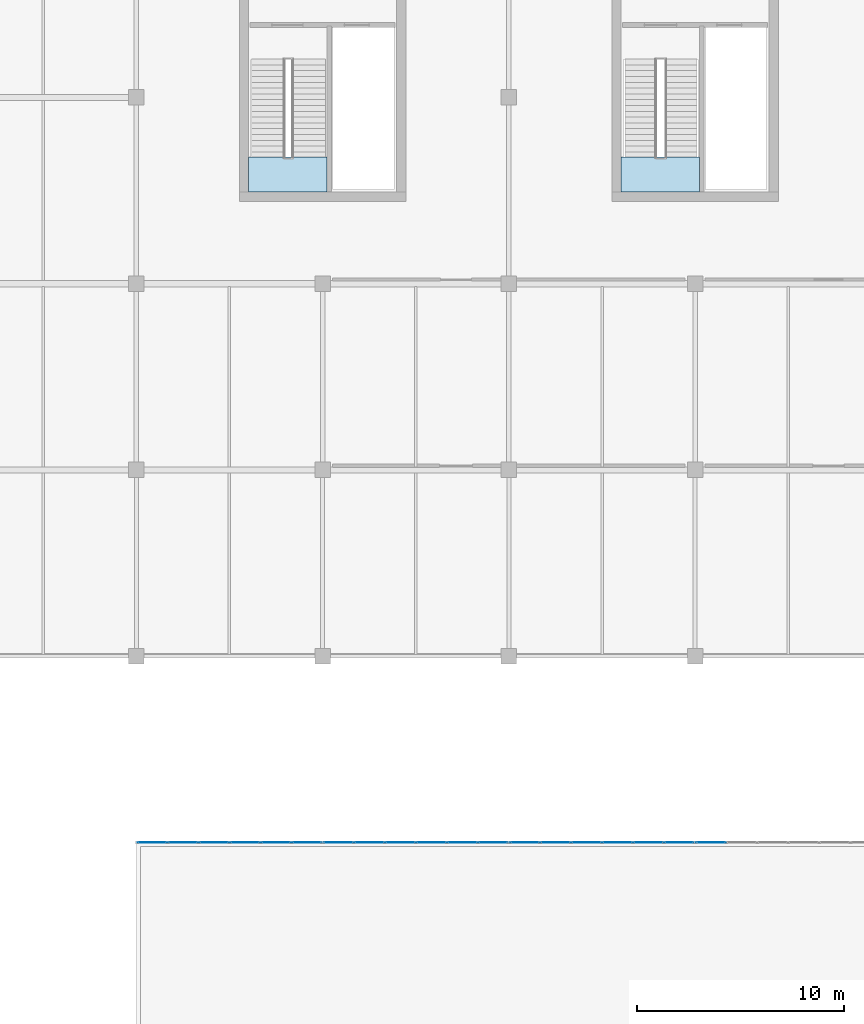
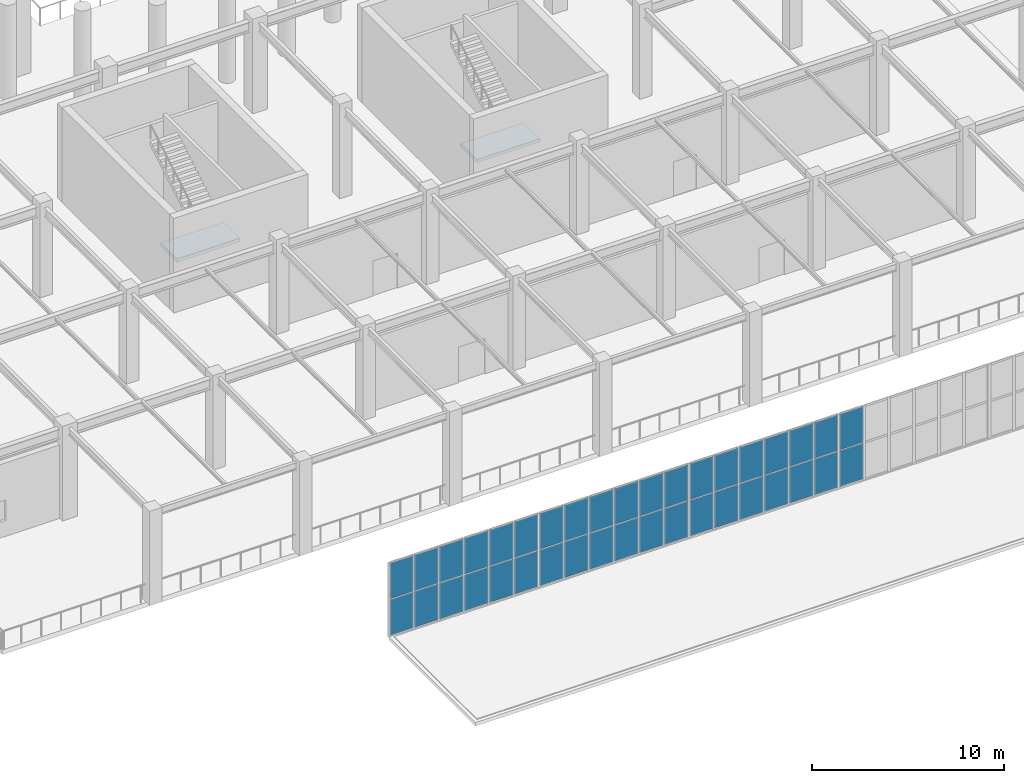
# One storey, part 170 of 223: 38 plates, 2 slabs, 6 elements without a shape of their own.
"""IFC4 building model written with IfcOpenShell, lengths in metres."""

from ifc_helpers import new_model, si_unit, direction, frame, origin, origin_2d, place, context, subcontext, project, spatial, polyline, rectangle, outline, extrude, material, layer, layer_set, type_object, element, aggregate, save


model = new_model("IFC4")

# Units and contexts
model_context = context("Model", 3, precision=1e-05, world=origin(), true_north=direction((0.0, 1.0)))
body_context = subcontext(model_context, "Body", "Model", "MODEL_VIEW")
ifc_project = project(units=[si_unit("LENGTHUNIT", "METRE"), si_unit("AREAUNIT", "SQUARE_METRE"), si_unit("VOLUMEUNIT", "CUBIC_METRE"), si_unit("PLANEANGLEUNIT", "RADIAN"), si_unit("MASSUNIT", "GRAM", prefix="KILO")], contexts=[model_context])

# Site, building, storey
site_placement = place(None, origin())
site = spatial("IfcSite", under=ifc_project, at=site_placement, CompositionType="ELEMENT")
building_placement = place(site_placement, origin())
building = spatial("IfcBuilding", under=site, at=building_placement, Name="Dornveld Trade and Exhibition Forum", CompositionType="ELEMENT")
storey_placement = place(building_placement, frame((0.0, 0.0, 6.0)))
storey = spatial("IfcBuildingStorey", under=building, at=storey_placement, Name="L01", CompositionType="ELEMENT", Elevation=6.0)

# Curtain wall, plates
ifc_material_1 = material(Name="Dark-bronze anodised aluminium and low-E glass", Category="aluminium")
ifc_layer_1 = layer(ifc_material_1, 0.1630859375)
ifc_layer_set_1 = layer_set([ifc_layer_1], Name="Dark-bronze anodised aluminium and low-E glass")
curtain_wall_type_1 = type_object("IfcCurtainWallType", Name="CW-SYS-07", PredefinedType="USERDEFINED", material=ifc_layer_set_1)
curtain_wall_1_placement = place(storey_placement, origin())
curtain_wall_1 = element("IfcCurtainWall", 1, at=curtain_wall_1_placement, inside=storey, type_object=curtain_wall_type_1, Name="L01 unitised curtain wall 43", ObjectType="UNITISED_CURTAIN_WALL", PredefinedType="USERDEFINED")
ifc_material_2 = material(Name="Double-glazed low-E solar control glass", Category="glass")
ifc_layer_2 = layer(ifc_material_2, 0.030029296875)
ifc_layer_set_2 = layer_set([ifc_layer_2], Name="Double-glazed low-E solar control glass")
plate_type_1 = type_object("IfcPlateType", Name="CW-PNL-03", PredefinedType="CURTAIN_PANEL", material=ifc_layer_set_2)
plate_1_placement = place(storey_placement, frame((99.764892578125, 18.0, 0.05615234375), z_axis=(0.0, 0.0, 1.0), x_axis=(1.0, 0.0, 0.0)))
plate_1 = element("IfcPlate", 2, at=plate_1_placement, type_object=plate_type_1, Name="CW-07 panel 1.1", PredefinedType="CURTAIN_PANEL", context=body_context, shape_type="SweptSolid", body=[
    extrude(rectangle(XDim=1.409912109375, YDim=0.030029296875, at=origin_2d()), origin(), (0.0, 0.0, 1.0), 2.261962890625),
])
plate_2_placement = place(storey_placement, frame((99.764892578125, 18.0, 2.3779296875), z_axis=(0.0, 0.0, 1.0), x_axis=(1.0, 0.0, 0.0)))
plate_2 = element("IfcPlate", 3, at=plate_2_placement, type_object=plate_type_1, Name="CW-07 panel 1.2", PredefinedType="CURTAIN_PANEL", context=body_context, shape_type="SweptSolid", body=[
    extrude(rectangle(XDim=1.409912109375, YDim=0.030029296875, at=origin_2d()), origin(), (0.0, 0.0, 1.0), 2.261962890625),
])
plate_3_placement = place(storey_placement, frame((101.25, 18.0, 0.05615234375), z_axis=(0.0, 0.0, 1.0), x_axis=(1.0, 0.0, 0.0)))
plate_3 = element("IfcPlate", 4, at=plate_3_placement, type_object=plate_type_1, Name="CW-07 panel 2.1", PredefinedType="CURTAIN_PANEL", context=body_context, shape_type="SweptSolid", body=[
    extrude(rectangle(XDim=1.43994140625, YDim=0.030029296875, at=origin_2d()), origin(), (0.0, 0.0, 1.0), 2.261962890625),
])
plate_4_placement = place(storey_placement, frame((101.25, 18.0, 2.3779296875), z_axis=(0.0, 0.0, 1.0), x_axis=(1.0, 0.0, 0.0)))
plate_4 = element("IfcPlate", 5, at=plate_4_placement, type_object=plate_type_1, Name="CW-07 panel 2.2", PredefinedType="CURTAIN_PANEL", context=body_context, shape_type="SweptSolid", body=[
    extrude(rectangle(XDim=1.43994140625, YDim=0.030029296875, at=origin_2d()), origin(), (0.0, 0.0, 1.0), 2.261962890625),
])
plate_5_placement = place(storey_placement, frame((102.75, 18.0, 0.05615234375), z_axis=(0.0, 0.0, 1.0), x_axis=(1.0, 0.0, 0.0)))
plate_5 = element("IfcPlate", 6, at=plate_5_placement, type_object=plate_type_1, Name="CW-07 panel 3.1", PredefinedType="CURTAIN_PANEL", context=body_context, shape_type="SweptSolid", body=[
    extrude(rectangle(XDim=1.43994140625, YDim=0.030029296875, at=origin_2d()), origin(), (0.0, 0.0, 1.0), 2.261962890625),
])
plate_6_placement = place(storey_placement, frame((102.75, 18.0, 2.3779296875), z_axis=(0.0, 0.0, 1.0), x_axis=(1.0, 0.0, 0.0)))
plate_6 = element("IfcPlate", 7, at=plate_6_placement, type_object=plate_type_1, Name="CW-07 panel 3.2", PredefinedType="CURTAIN_PANEL", context=body_context, shape_type="SweptSolid", body=[
    extrude(rectangle(XDim=1.43994140625, YDim=0.030029296875, at=origin_2d()), origin(), (0.0, 0.0, 1.0), 2.261962890625),
])
plate_7_placement = place(storey_placement, frame((104.25, 18.0, 0.05615234375), z_axis=(0.0, 0.0, 1.0), x_axis=(1.0, 0.0, 0.0)))
plate_7 = element("IfcPlate", 8, at=plate_7_placement, type_object=plate_type_1, Name="CW-07 panel 4.1", PredefinedType="CURTAIN_PANEL", context=body_context, shape_type="SweptSolid", body=[
    extrude(rectangle(XDim=1.43994140625, YDim=0.030029296875, at=origin_2d()), origin(), (0.0, 0.0, 1.0), 2.261962890625),
])
plate_8_placement = place(storey_placement, frame((104.25, 18.0, 2.3779296875), z_axis=(0.0, 0.0, 1.0), x_axis=(1.0, 0.0, 0.0)))
plate_8 = element("IfcPlate", 9, at=plate_8_placement, type_object=plate_type_1, Name="CW-07 panel 4.2", PredefinedType="CURTAIN_PANEL", context=body_context, shape_type="SweptSolid", body=[
    extrude(rectangle(XDim=1.43994140625, YDim=0.030029296875, at=origin_2d()), origin(), (0.0, 0.0, 1.0), 2.261962890625),
])
plate_9_placement = place(storey_placement, frame((105.75, 18.0, 0.05615234375), z_axis=(0.0, 0.0, 1.0), x_axis=(1.0, 0.0, 0.0)))
plate_9 = element("IfcPlate", 10, at=plate_9_placement, type_object=plate_type_1, Name="CW-07 panel 5.1", PredefinedType="CURTAIN_PANEL", context=body_context, shape_type="SweptSolid", body=[
    extrude(rectangle(XDim=1.43994140625, YDim=0.030029296875, at=origin_2d()), origin(), (0.0, 0.0, 1.0), 2.261962890625),
])
plate_10_placement = place(storey_placement, frame((105.75, 18.0, 2.3779296875), z_axis=(0.0, 0.0, 1.0), x_axis=(1.0, 0.0, 0.0)))
plate_10 = element("IfcPlate", 11, at=plate_10_placement, type_object=plate_type_1, Name="CW-07 panel 5.2", PredefinedType="CURTAIN_PANEL", context=body_context, shape_type="SweptSolid", body=[
    extrude(rectangle(XDim=1.43994140625, YDim=0.030029296875, at=origin_2d()), origin(), (0.0, 0.0, 1.0), 2.261962890625),
])
plate_11_placement = place(storey_placement, frame((107.235107421875, 18.0, 0.05615234375), z_axis=(0.0, 0.0, 1.0), x_axis=(1.0, 0.0, 0.0)))
plate_11 = element("IfcPlate", 12, at=plate_11_placement, type_object=plate_type_1, Name="CW-07 panel 6.1", PredefinedType="CURTAIN_PANEL", context=body_context, shape_type="SweptSolid", body=[
    extrude(rectangle(XDim=1.409912109375, YDim=0.030029296875, at=origin_2d()), origin(), (0.0, 0.0, 1.0), 2.261962890625),
])
plate_12_placement = place(storey_placement, frame((107.235107421875, 18.0, 2.3779296875), z_axis=(0.0, 0.0, 1.0), x_axis=(1.0, 0.0, 0.0)))
plate_12 = element("IfcPlate", 13, at=plate_12_placement, type_object=plate_type_1, Name="CW-07 panel 6.2", PredefinedType="CURTAIN_PANEL", context=body_context, shape_type="SweptSolid", body=[
    extrude(rectangle(XDim=1.409912109375, YDim=0.030029296875, at=origin_2d()), origin(), (0.0, 0.0, 1.0), 2.261962890625),
])
aggregate(curtain_wall_1, [plate_1, plate_2, plate_3, plate_4, plate_5, plate_6, plate_7, plate_8, plate_9, plate_10, plate_11, plate_12])

ifc_material_3 = material(Name="Dark-bronze anodised aluminium and low-E glass", Category="aluminium")
ifc_layer_3 = layer(ifc_material_3, 0.166015625)
ifc_layer_set_3 = layer_set([ifc_layer_3], Name="Dark-bronze anodised aluminium and low-E glass")
curtain_wall_type_2 = type_object("IfcCurtainWallType", Name="CW-SYS-08", PredefinedType="USERDEFINED", material=ifc_layer_set_3)
curtain_wall_2_placement = place(storey_placement, origin())
curtain_wall_2 = element("IfcCurtainWall", 14, at=curtain_wall_2_placement, inside=storey, type_object=curtain_wall_type_2, Name="L01 unitised curtain wall 44", ObjectType="UNITISED_CURTAIN_WALL", PredefinedType="USERDEFINED")
ifc_material_4 = material(Name="Double-glazed low-E solar control glass", Category="glass")
ifc_layer_4 = layer(ifc_material_4, 0.031982421875)
ifc_layer_set_4 = layer_set([ifc_layer_4], Name="Double-glazed low-E solar control glass")
plate_type_2 = type_object("IfcPlateType", Name="CW-PNL-04", PredefinedType="CURTAIN_PANEL", material=ifc_layer_set_4)
plate_13_placement = place(storey_placement, frame((108.764892578125, 18.0, 0.05615234375), z_axis=(0.0, 0.0, 1.0), x_axis=(1.0, 0.0, 0.0)))
plate_13 = element("IfcPlate", 15, at=plate_13_placement, type_object=plate_type_2, Name="CW-08 panel 1.1", PredefinedType="CURTAIN_PANEL", context=body_context, shape_type="SweptSolid", body=[
    extrude(rectangle(XDim=1.409912109375, YDim=0.031982421875, at=origin_2d()), origin(), (0.0, 0.0, 1.0), 2.261962890625),
])
plate_14_placement = place(storey_placement, frame((108.764892578125, 18.0, 2.3779296875), z_axis=(0.0, 0.0, 1.0), x_axis=(1.0, 0.0, 0.0)))
plate_14 = element("IfcPlate", 16, at=plate_14_placement, type_object=plate_type_2, Name="CW-08 panel 1.2", PredefinedType="CURTAIN_PANEL", context=body_context, shape_type="SweptSolid", body=[
    extrude(rectangle(XDim=1.409912109375, YDim=0.031982421875, at=origin_2d()), origin(), (0.0, 0.0, 1.0), 2.261962890625),
])
plate_15_placement = place(storey_placement, frame((110.25, 18.0, 0.05615234375), z_axis=(0.0, 0.0, 1.0), x_axis=(1.0, 0.0, 0.0)))
plate_15 = element("IfcPlate", 17, at=plate_15_placement, type_object=plate_type_2, Name="CW-08 panel 2.1", PredefinedType="CURTAIN_PANEL", context=body_context, shape_type="SweptSolid", body=[
    extrude(rectangle(XDim=1.43994140625, YDim=0.031982421875, at=origin_2d()), origin(), (0.0, 0.0, 1.0), 2.261962890625),
])
plate_16_placement = place(storey_placement, frame((110.25, 18.0, 2.3779296875), z_axis=(0.0, 0.0, 1.0), x_axis=(1.0, 0.0, 0.0)))
plate_16 = element("IfcPlate", 18, at=plate_16_placement, type_object=plate_type_2, Name="CW-08 panel 2.2", PredefinedType="CURTAIN_PANEL", context=body_context, shape_type="SweptSolid", body=[
    extrude(rectangle(XDim=1.43994140625, YDim=0.031982421875, at=origin_2d()), origin(), (0.0, 0.0, 1.0), 2.261962890625),
])
plate_17_placement = place(storey_placement, frame((111.75, 18.0, 0.05615234375), z_axis=(0.0, 0.0, 1.0), x_axis=(1.0, 0.0, 0.0)))
plate_17 = element("IfcPlate", 19, at=plate_17_placement, type_object=plate_type_2, Name="CW-08 panel 3.1", PredefinedType="CURTAIN_PANEL", context=body_context, shape_type="SweptSolid", body=[
    extrude(rectangle(XDim=1.43994140625, YDim=0.031982421875, at=origin_2d()), origin(), (0.0, 0.0, 1.0), 2.261962890625),
])
plate_18_placement = place(storey_placement, frame((111.75, 18.0, 2.3779296875), z_axis=(0.0, 0.0, 1.0), x_axis=(1.0, 0.0, 0.0)))
plate_18 = element("IfcPlate", 20, at=plate_18_placement, type_object=plate_type_2, Name="CW-08 panel 3.2", PredefinedType="CURTAIN_PANEL", context=body_context, shape_type="SweptSolid", body=[
    extrude(rectangle(XDim=1.43994140625, YDim=0.031982421875, at=origin_2d()), origin(), (0.0, 0.0, 1.0), 2.261962890625),
])
plate_19_placement = place(storey_placement, frame((113.25, 18.0, 0.05615234375), z_axis=(0.0, 0.0, 1.0), x_axis=(1.0, 0.0, 0.0)))
plate_19 = element("IfcPlate", 21, at=plate_19_placement, type_object=plate_type_2, Name="CW-08 panel 4.1", PredefinedType="CURTAIN_PANEL", context=body_context, shape_type="SweptSolid", body=[
    extrude(rectangle(XDim=1.43994140625, YDim=0.031982421875, at=origin_2d()), origin(), (0.0, 0.0, 1.0), 2.261962890625),
])
plate_20_placement = place(storey_placement, frame((113.25, 18.0, 2.3779296875), z_axis=(0.0, 0.0, 1.0), x_axis=(1.0, 0.0, 0.0)))
plate_20 = element("IfcPlate", 22, at=plate_20_placement, type_object=plate_type_2, Name="CW-08 panel 4.2", PredefinedType="CURTAIN_PANEL", context=body_context, shape_type="SweptSolid", body=[
    extrude(rectangle(XDim=1.43994140625, YDim=0.031982421875, at=origin_2d()), origin(), (0.0, 0.0, 1.0), 2.261962890625),
])
plate_21_placement = place(storey_placement, frame((114.75, 18.0, 0.05615234375), z_axis=(0.0, 0.0, 1.0), x_axis=(1.0, 0.0, 0.0)))
plate_21 = element("IfcPlate", 23, at=plate_21_placement, type_object=plate_type_2, Name="CW-08 panel 5.1", PredefinedType="CURTAIN_PANEL", context=body_context, shape_type="SweptSolid", body=[
    extrude(rectangle(XDim=1.43994140625, YDim=0.031982421875, at=origin_2d()), origin(), (0.0, 0.0, 1.0), 2.261962890625),
])
plate_22_placement = place(storey_placement, frame((114.75, 18.0, 2.3779296875), z_axis=(0.0, 0.0, 1.0), x_axis=(1.0, 0.0, 0.0)))
plate_22 = element("IfcPlate", 24, at=plate_22_placement, type_object=plate_type_2, Name="CW-08 panel 5.2", PredefinedType="CURTAIN_PANEL", context=body_context, shape_type="SweptSolid", body=[
    extrude(rectangle(XDim=1.43994140625, YDim=0.031982421875, at=origin_2d()), origin(), (0.0, 0.0, 1.0), 2.261962890625),
])
plate_23_placement = place(storey_placement, frame((116.235107421875, 18.0, 0.05615234375), z_axis=(0.0, 0.0, 1.0), x_axis=(1.0, 0.0, 0.0)))
plate_23 = element("IfcPlate", 25, at=plate_23_placement, type_object=plate_type_2, Name="CW-08 panel 6.1", PredefinedType="CURTAIN_PANEL", context=body_context, shape_type="SweptSolid", body=[
    extrude(rectangle(XDim=1.409912109375, YDim=0.031982421875, at=origin_2d()), origin(), (0.0, 0.0, 1.0), 2.261962890625),
])
plate_24_placement = place(storey_placement, frame((116.235107421875, 18.0, 2.3779296875), z_axis=(0.0, 0.0, 1.0), x_axis=(1.0, 0.0, 0.0)))
plate_24 = element("IfcPlate", 26, at=plate_24_placement, type_object=plate_type_2, Name="CW-08 panel 6.2", PredefinedType="CURTAIN_PANEL", context=body_context, shape_type="SweptSolid", body=[
    extrude(rectangle(XDim=1.409912109375, YDim=0.031982421875, at=origin_2d()), origin(), (0.0, 0.0, 1.0), 2.261962890625),
])
aggregate(curtain_wall_2, [plate_13, plate_14, plate_15, plate_16, plate_17, plate_18, plate_19, plate_20, plate_21, plate_22, plate_23, plate_24])

ifc_material_5 = material(Name="Dark-bronze anodised aluminium and low-E glass", Category="aluminium")
ifc_layer_5 = layer(ifc_material_5, 0.1689453125)
ifc_layer_set_5 = layer_set([ifc_layer_5], Name="Dark-bronze anodised aluminium and low-E glass")
curtain_wall_type_3 = type_object("IfcCurtainWallType", Name="CW-SYS-09", PredefinedType="USERDEFINED", material=ifc_layer_set_5)
curtain_wall_3_placement = place(storey_placement, origin())
curtain_wall_3 = element("IfcCurtainWall", 27, at=curtain_wall_3_placement, inside=storey, type_object=curtain_wall_type_3, Name="L01 unitised curtain wall 45", ObjectType="UNITISED_CURTAIN_WALL", PredefinedType="USERDEFINED")
ifc_material_6 = material(Name="Double-glazed low-E solar control glass", Category="glass")
ifc_layer_6 = layer(ifc_material_6, 0.033935546875)
ifc_layer_set_6 = layer_set([ifc_layer_6], Name="Double-glazed low-E solar control glass")
plate_type_3 = type_object("IfcPlateType", Name="CW-PNL-05", PredefinedType="CURTAIN_PANEL", material=ifc_layer_set_6)
plate_25_placement = place(storey_placement, frame((117.764892578125, 18.0, 0.05615234375), z_axis=(0.0, 0.0, 1.0), x_axis=(1.0, 0.0, 0.0)))
plate_25 = element("IfcPlate", 28, at=plate_25_placement, type_object=plate_type_3, Name="CW-09 panel 1.1", PredefinedType="CURTAIN_PANEL", context=body_context, shape_type="SweptSolid", body=[
    extrude(rectangle(XDim=1.409912109375, YDim=0.033935546875, at=origin_2d()), origin(), (0.0, 0.0, 1.0), 2.261962890625),
])
plate_26_placement = place(storey_placement, frame((117.764892578125, 18.0, 2.3779296875), z_axis=(0.0, 0.0, 1.0), x_axis=(1.0, 0.0, 0.0)))
plate_26 = element("IfcPlate", 29, at=plate_26_placement, type_object=plate_type_3, Name="CW-09 panel 1.2", PredefinedType="CURTAIN_PANEL", context=body_context, shape_type="SweptSolid", body=[
    extrude(rectangle(XDim=1.409912109375, YDim=0.033935546875, at=origin_2d()), origin(), (0.0, 0.0, 1.0), 2.261962890625),
])
plate_27_placement = place(storey_placement, frame((119.25, 18.0, 0.05615234375), z_axis=(0.0, 0.0, 1.0), x_axis=(1.0, 0.0, 0.0)))
plate_27 = element("IfcPlate", 30, at=plate_27_placement, type_object=plate_type_3, Name="CW-09 panel 2.1", PredefinedType="CURTAIN_PANEL", context=body_context, shape_type="SweptSolid", body=[
    extrude(rectangle(XDim=1.43994140625, YDim=0.033935546875, at=origin_2d()), origin(), (0.0, 0.0, 1.0), 2.261962890625),
])
plate_28_placement = place(storey_placement, frame((119.25, 18.0, 2.3779296875), z_axis=(0.0, 0.0, 1.0), x_axis=(1.0, 0.0, 0.0)))
plate_28 = element("IfcPlate", 31, at=plate_28_placement, type_object=plate_type_3, Name="CW-09 panel 2.2", PredefinedType="CURTAIN_PANEL", context=body_context, shape_type="SweptSolid", body=[
    extrude(rectangle(XDim=1.43994140625, YDim=0.033935546875, at=origin_2d()), origin(), (0.0, 0.0, 1.0), 2.261962890625),
])
plate_29_placement = place(storey_placement, frame((120.75, 18.0, 0.05615234375), z_axis=(0.0, 0.0, 1.0), x_axis=(1.0, 0.0, 0.0)))
plate_29 = element("IfcPlate", 32, at=plate_29_placement, type_object=plate_type_3, Name="CW-09 panel 3.1", PredefinedType="CURTAIN_PANEL", context=body_context, shape_type="SweptSolid", body=[
    extrude(rectangle(XDim=1.43994140625, YDim=0.033935546875, at=origin_2d()), origin(), (0.0, 0.0, 1.0), 2.261962890625),
])
plate_30_placement = place(storey_placement, frame((120.75, 18.0, 2.3779296875), z_axis=(0.0, 0.0, 1.0), x_axis=(1.0, 0.0, 0.0)))
plate_30 = element("IfcPlate", 33, at=plate_30_placement, type_object=plate_type_3, Name="CW-09 panel 3.2", PredefinedType="CURTAIN_PANEL", context=body_context, shape_type="SweptSolid", body=[
    extrude(rectangle(XDim=1.43994140625, YDim=0.033935546875, at=origin_2d()), origin(), (0.0, 0.0, 1.0), 2.261962890625),
])
plate_31_placement = place(storey_placement, frame((122.25, 18.0, 0.05615234375), z_axis=(0.0, 0.0, 1.0), x_axis=(1.0, 0.0, 0.0)))
plate_31 = element("IfcPlate", 34, at=plate_31_placement, type_object=plate_type_3, Name="CW-09 panel 4.1", PredefinedType="CURTAIN_PANEL", context=body_context, shape_type="SweptSolid", body=[
    extrude(rectangle(XDim=1.43994140625, YDim=0.033935546875, at=origin_2d()), origin(), (0.0, 0.0, 1.0), 2.261962890625),
])
plate_32_placement = place(storey_placement, frame((122.25, 18.0, 2.3779296875), z_axis=(0.0, 0.0, 1.0), x_axis=(1.0, 0.0, 0.0)))
plate_32 = element("IfcPlate", 35, at=plate_32_placement, type_object=plate_type_3, Name="CW-09 panel 4.2", PredefinedType="CURTAIN_PANEL", context=body_context, shape_type="SweptSolid", body=[
    extrude(rectangle(XDim=1.43994140625, YDim=0.033935546875, at=origin_2d()), origin(), (0.0, 0.0, 1.0), 2.261962890625),
])
plate_33_placement = place(storey_placement, frame((123.75, 18.0, 0.05615234375), z_axis=(0.0, 0.0, 1.0), x_axis=(1.0, 0.0, 0.0)))
plate_33 = element("IfcPlate", 36, at=plate_33_placement, type_object=plate_type_3, Name="CW-09 panel 5.1", PredefinedType="CURTAIN_PANEL", context=body_context, shape_type="SweptSolid", body=[
    extrude(rectangle(XDim=1.43994140625, YDim=0.033935546875, at=origin_2d()), origin(), (0.0, 0.0, 1.0), 2.261962890625),
])
plate_34_placement = place(storey_placement, frame((123.75, 18.0, 2.3779296875), z_axis=(0.0, 0.0, 1.0), x_axis=(1.0, 0.0, 0.0)))
plate_34 = element("IfcPlate", 37, at=plate_34_placement, type_object=plate_type_3, Name="CW-09 panel 5.2", PredefinedType="CURTAIN_PANEL", context=body_context, shape_type="SweptSolid", body=[
    extrude(rectangle(XDim=1.43994140625, YDim=0.033935546875, at=origin_2d()), origin(), (0.0, 0.0, 1.0), 2.261962890625),
])
plate_35_placement = place(storey_placement, frame((125.235107421875, 18.0, 0.05615234375), z_axis=(0.0, 0.0, 1.0), x_axis=(1.0, 0.0, 0.0)))
plate_35 = element("IfcPlate", 38, at=plate_35_placement, type_object=plate_type_3, Name="CW-09 panel 6.1", PredefinedType="CURTAIN_PANEL", context=body_context, shape_type="SweptSolid", body=[
    extrude(rectangle(XDim=1.409912109375, YDim=0.033935546875, at=origin_2d()), origin(), (0.0, 0.0, 1.0), 2.261962890625),
])
plate_36_placement = place(storey_placement, frame((125.235107421875, 18.0, 2.3779296875), z_axis=(0.0, 0.0, 1.0), x_axis=(1.0, 0.0, 0.0)))
plate_36 = element("IfcPlate", 39, at=plate_36_placement, type_object=plate_type_3, Name="CW-09 panel 6.2", PredefinedType="CURTAIN_PANEL", context=body_context, shape_type="SweptSolid", body=[
    extrude(rectangle(XDim=1.409912109375, YDim=0.033935546875, at=origin_2d()), origin(), (0.0, 0.0, 1.0), 2.261962890625),
])
aggregate(curtain_wall_3, [plate_25, plate_26, plate_27, plate_28, plate_29, plate_30, plate_31, plate_32, plate_33, plate_34, plate_35, plate_36])

ifc_material_7 = material(Name="Dark-bronze anodised aluminium and low-E glass", Category="aluminium")
ifc_layer_7 = layer(ifc_material_7, 0.172119140625)
ifc_layer_set_7 = layer_set([ifc_layer_7], Name="Dark-bronze anodised aluminium and low-E glass")
curtain_wall_type_4 = type_object("IfcCurtainWallType", Name="CW-SYS-10", PredefinedType="USERDEFINED", material=ifc_layer_set_7)
curtain_wall_4_placement = place(storey_placement, origin())
curtain_wall_4 = element("IfcCurtainWall", 40, at=curtain_wall_4_placement, inside=storey, type_object=curtain_wall_type_4, Name="L01 unitised curtain wall 46", ObjectType="UNITISED_CURTAIN_WALL", PredefinedType="USERDEFINED")
ifc_material_8 = material(Name="Double-glazed low-E solar control glass", Category="glass")
ifc_layer_8 = layer(ifc_material_8, 0.035888671875)
ifc_layer_set_8 = layer_set([ifc_layer_8], Name="Double-glazed low-E solar control glass")
plate_type_4 = type_object("IfcPlateType", Name="CW-PNL-06", PredefinedType="CURTAIN_PANEL", material=ifc_layer_set_8)
plate_37_placement = place(storey_placement, frame((126.764892578125, 18.0, 0.05615234375), z_axis=(0.0, 0.0, 1.0), x_axis=(1.0, 0.0, 0.0)))
plate_37 = element("IfcPlate", 41, at=plate_37_placement, type_object=plate_type_4, Name="CW-10 panel 1.1", PredefinedType="CURTAIN_PANEL", context=body_context, shape_type="SweptSolid", body=[
    extrude(rectangle(XDim=1.409912109375, YDim=0.035888671875, at=origin_2d()), origin(), (0.0, 0.0, 1.0), 2.261962890625),
])
plate_38_placement = place(storey_placement, frame((126.764892578125, 18.0, 2.3779296875), z_axis=(0.0, 0.0, 1.0), x_axis=(1.0, 0.0, 0.0)))
plate_38 = element("IfcPlate", 42, at=plate_38_placement, type_object=plate_type_4, Name="CW-10 panel 1.2", PredefinedType="CURTAIN_PANEL", context=body_context, shape_type="SweptSolid", body=[
    extrude(rectangle(XDim=1.409912109375, YDim=0.035888671875, at=origin_2d()), origin(), (0.0, 0.0, 1.0), 2.261962890625),
])
aggregate(curtain_wall_4, [plate_37, plate_38])

# Stair, slab
ifc_material_9 = material(Name="Concrete C40/50", Category="concrete")
stair_type_1 = type_object("IfcStairType", Name="ST-2RET-600A", PredefinedType="HALF_TURN_STAIR", material=ifc_material_9)
stair_1_placement = place(storey_placement, origin())
stair_1 = element("IfcStair", 43, at=stair_1_placement, inside=storey, type_object=stair_type_1, Name="CORE-07 escape stair L01 to L02", PredefinedType="HALF_TURN_STAIR")
ifc_material_10 = material(Name="Concrete C40/50", Category="concrete")
ifc_layer_9 = layer(ifc_material_10, 0.199951171875)
ifc_layer_set_9 = layer_set([ifc_layer_9], Name="Concrete C40/50")
slab_type_1 = type_object("IfcSlabType", Name="SL-LAND-200", PredefinedType="LANDING", material=ifc_layer_set_9)
slab_1_placement = place(storey_placement, frame((0.0, 0.0, 2.800048828125)))
slab_1 = element("IfcSlab", 44, at=slab_1_placement, type_object=slab_type_1, Name="ST-07-L01 landing 1", PredefinedType="LANDING", context=body_context, shape_type="SweptSolid", body=[
    extrude(outline(polyline([(122.425048828125, 49.425048828125), (126.219970703125, 49.425048828125), (126.219970703125, 51.114990234375), (122.425048828125, 51.114990234375), (122.425048828125, 49.425048828125)])), origin(), (0.0, 0.0, 1.0), 0.199951171875),
])
aggregate(stair_1, [slab_1])

ifc_material_11 = material(Name="Concrete C40/50", Category="concrete")
stair_type_2 = type_object("IfcStairType", Name="ST-2RET-600B", PredefinedType="HALF_TURN_STAIR", material=ifc_material_11)
stair_2_placement = place(storey_placement, origin())
stair_2 = element("IfcStair", 45, at=stair_2_placement, inside=storey, type_object=stair_type_2, Name="CORE-06 escape stair L01 to L02", PredefinedType="HALF_TURN_STAIR")
ifc_material_12 = material(Name="Concrete C40/50", Category="concrete")
ifc_layer_10 = layer(ifc_material_12, 0.219970703125)
ifc_layer_set_10 = layer_set([ifc_layer_10], Name="Concrete C40/50")
slab_type_2 = type_object("IfcSlabType", Name="SL-LAND-220", PredefinedType="LANDING", material=ifc_layer_set_10)
slab_2_placement = place(storey_placement, frame((0.0, 0.0, 2.780029296875)))
slab_2 = element("IfcSlab", 46, at=slab_2_placement, type_object=slab_type_2, Name="ST-06-L01 landing 1", PredefinedType="LANDING", context=body_context, shape_type="SweptSolid", body=[
    extrude(outline(polyline([(104.425048828125, 49.425048828125), (108.219970703125, 49.425048828125), (108.219970703125, 51.114990234375), (104.425048828125, 51.114990234375), (104.425048828125, 49.425048828125)])), origin(), (0.0, 0.0, 1.0), 0.219970703125),
])
aggregate(stair_2, [slab_2])

save(model, "model.ifc")
